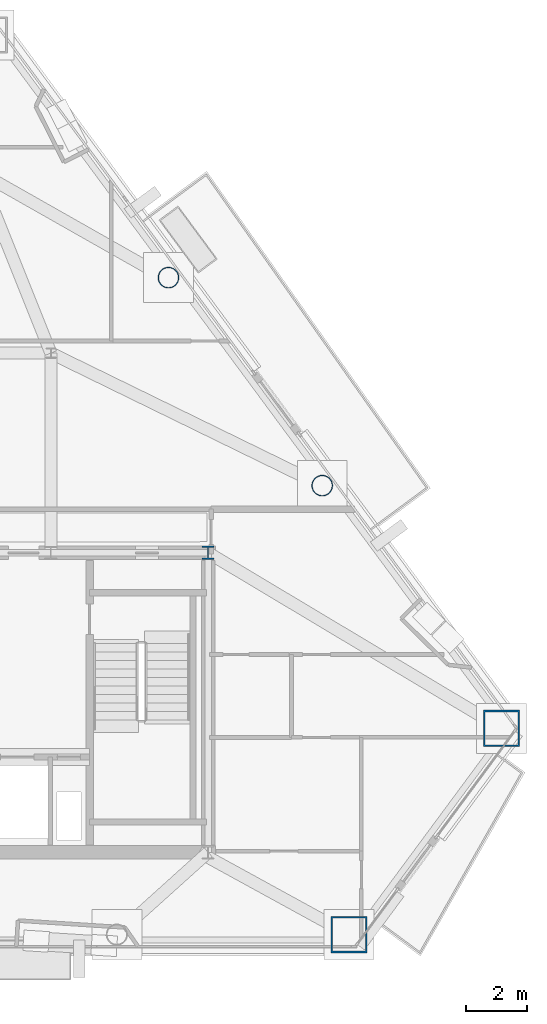
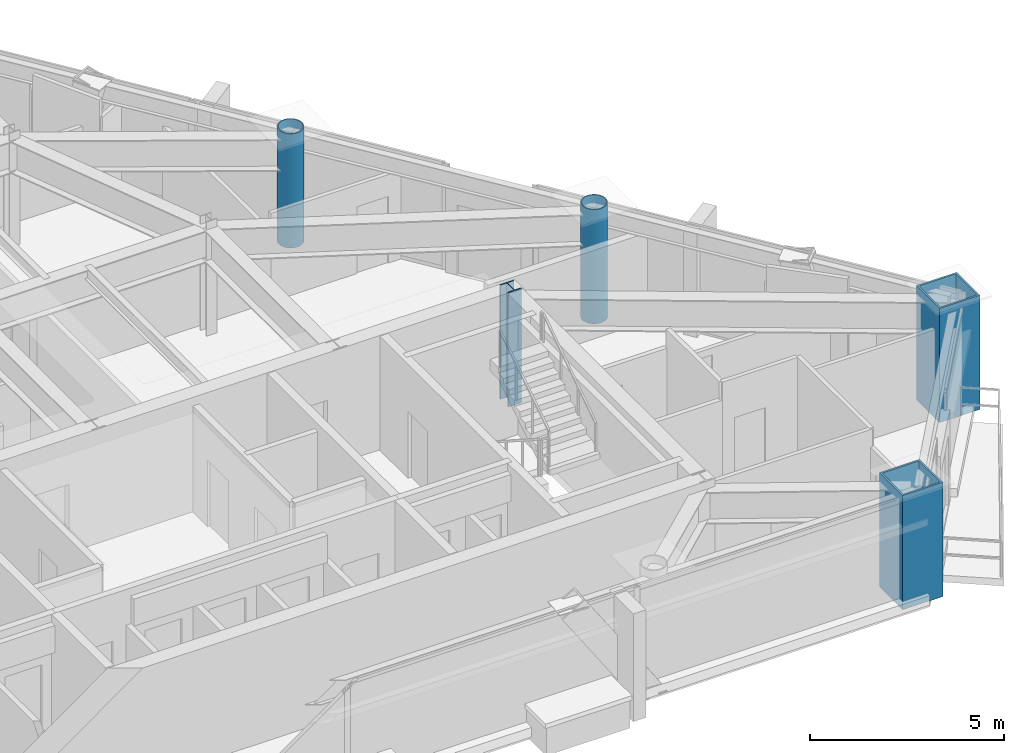
# One storey, part 2 of 11: 5 columns.
"""IFC4 building model written with IfcOpenShell, lengths in metres."""

from ifc_helpers import new_model, si_unit, direction, frame, origin, origin_2d, place, context, subcontext, project, spatial, hollow_rectangle, hollow_circle, i_section, extrude, material, material_profile, profile_set, type_object, element, save


model = new_model("IFC4")

# Units and contexts
model_context = context("Model", 3, precision=1e-05, world=origin(), true_north=direction((0.0, 1.0)))
body_context = subcontext(model_context, "Body", "Model", "MODEL_VIEW")
ifc_project = project(units=[si_unit("LENGTHUNIT", "METRE"), si_unit("AREAUNIT", "SQUARE_METRE"), si_unit("VOLUMEUNIT", "CUBIC_METRE"), si_unit("PLANEANGLEUNIT", "RADIAN"), si_unit("MASSUNIT", "GRAM", prefix="KILO")], contexts=[model_context])

# Site, building, storey
site_placement = place(None, origin())
site = spatial("IfcSite", under=ifc_project, at=site_placement, CompositionType="ELEMENT")
building_placement = place(site_placement, origin())
building = spatial("IfcBuilding", under=site, at=building_placement, Name="Talgorran Terracotta Tower", CompositionType="ELEMENT")
storey_placement = place(building_placement, frame((0.0, 0.0, 140.10009765625)))
storey = spatial("IfcBuildingStorey", under=building, at=storey_placement, Name="L36", CompositionType="ELEMENT", Elevation=140.10009765625)

# Columns
ifc_material_1 = material(Name="Steel S355 (300PLUS)", Category="steel")
ifc_material_profile_1 = material_profile(ifc_material_1, i_section(OverallWidth=0.39990234375, OverallDepth=0.43994140625, WebThickness=0.028076171875, FlangeThickness=0.0400390625, at=origin_2d()), Name="400WC328")
ifc_profile_set_1 = profile_set([ifc_material_profile_1], Name="Steel S355 (300PLUS)")
column_type_1 = type_object("IfcColumnType", Name="COL_400WC328", PredefinedType="COLUMN", material=ifc_profile_set_1)
column_placement = place(storey_placement, frame((12.39990234375, -4.199951171875, 0.0), z_axis=(0.0, 0.0, 1.0), x_axis=(1.0, 0.0, 0.0)))
element("IfcColumn", 1, at=column_placement, inside=storey, type_object=column_type_1, Name="L36 Core Boundary Column CC3", PredefinedType="COLUMN", context=body_context, shape_type="SweptSolid", body=[
    extrude(i_section(OverallWidth=0.39990234375, OverallDepth=0.43994140625, WebThickness=0.028076171875, FlangeThickness=0.0400390625, at=origin_2d()), origin(), (0.0, 0.0, 1.0), 3.599853515625),
])
ifc_material_2 = material(Name="Steel Grade 350 (350L0)", Category="steel")
ifc_material_profile_2 = material_profile(ifc_material_2, hollow_rectangle(XDim=1.199951171875, YDim=1.199951171875, WallThickness=0.054931640625, at=origin_2d()), Name="CFT1200X1200X55")
ifc_profile_set_2 = profile_set([ifc_material_profile_2], Name="Steel Grade 350 (350L0)")
column_type_2 = type_object("IfcColumnType", Name="COL_CFT_1200", PredefinedType="COLUMN", material=ifc_profile_set_2)
for number, where, z_axis, x_axis, name in (
    (2, (17.056884765625, -16.81884765625, 0.0), (0.0, 0.0, 1.0), (1.0, 0.0, 0.0), "L36 Corner CFT Mega-Column MC3"),
    (3, (22.09619140625, -10.000244140625, 0.0), (0.0, 0.0, 1.0), (1.0, 0.0, 0.0), "L36 Corner CFT Mega-Column MC4"),
):
    element("IfcColumn", number, at=place(storey_placement, frame(where, z_axis=z_axis, x_axis=x_axis)), inside=storey, type_object=column_type_2, Name=name, PredefinedType="COLUMN", context=body_context, shape_type="SweptSolid", body=[
        extrude(hollow_rectangle(XDim=1.199951171875, YDim=1.199951171875, WallThickness=0.054931640625, at=origin_2d()), origin(), (0.0, 0.0, 1.0), 3.599853515625),
    ])
ifc_material_profile_3 = material_profile(ifc_material_2, hollow_circle(Radius=0.35009765625, WallThickness=0.030029296875, at=origin_2d()), Name="CHS700X30")
ifc_profile_set_3 = profile_set([ifc_material_profile_3], Name="Steel Grade 350 (350L0)")
column_type_3 = type_object("IfcColumnType", Name="COL_CHS_700", PredefinedType="COLUMN", material=ifc_profile_set_3)
for number, where, z_axis, x_axis, name in (
    (4, (16.169189453125, -1.98046875, 0.0), (0.0, 0.0, 1.0), (1.0, 0.0, 0.0), "L36 Facet Perimeter Column FC3"),
    (5, (11.088623046875, 4.893798828125, 0.0), (0.0, 0.0, 1.0), (1.0, 0.0, 0.0), "L36 Facet Perimeter Column FC4"),
):
    element("IfcColumn", number, at=place(storey_placement, frame(where, z_axis=z_axis, x_axis=x_axis)), inside=storey, type_object=column_type_3, Name=name, PredefinedType="COLUMN", context=body_context, shape_type="SweptSolid", body=[
        extrude(hollow_circle(Radius=0.35009765625, WallThickness=0.030029296875, at=origin_2d()), origin(), (0.0, 0.0, 1.0), 3.599853515625),
    ])

save(model, "model.ifc")
